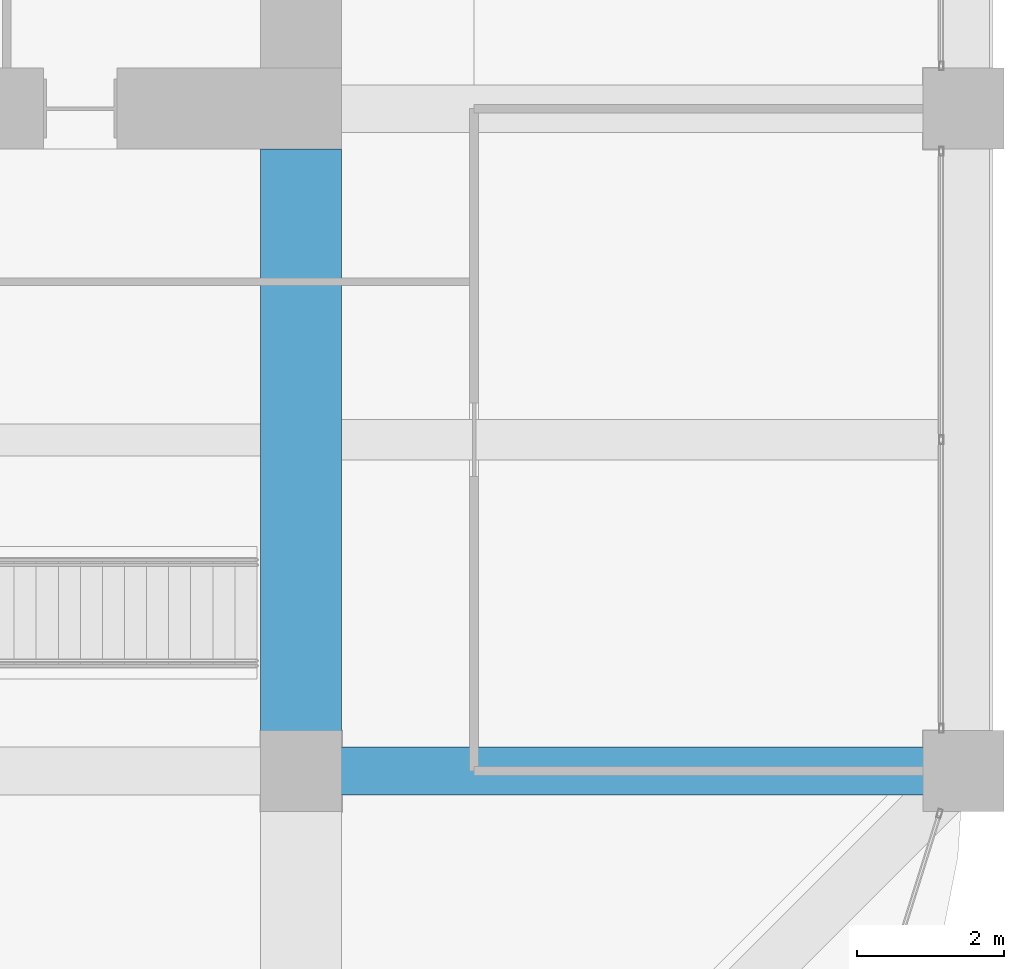
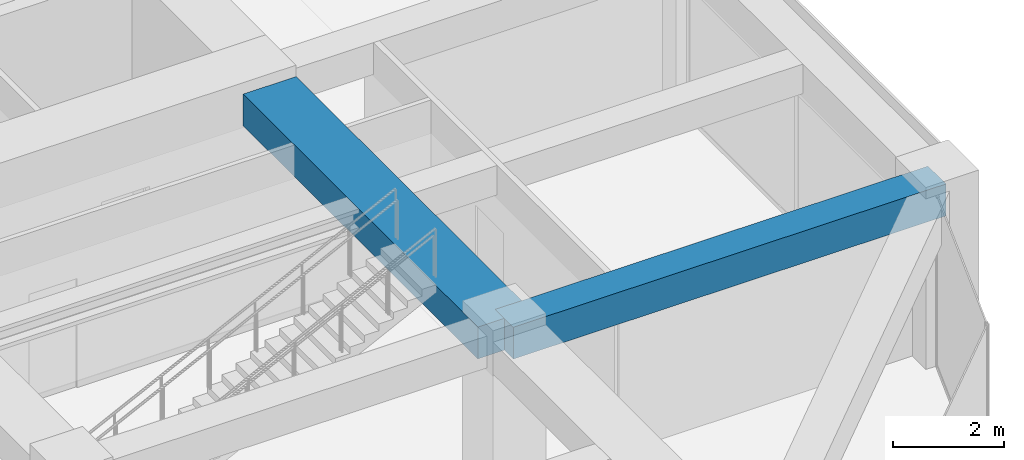
# One storey, part 21 of 44: 2 beams.
"""IFC4 building model written with IfcOpenShell, lengths in metres."""

from ifc_helpers import new_model, si_unit, direction, frame, origin, origin_2d, place, context, subcontext, project, spatial, rectangle, extrude, material, material_profile, profile_set, type_object, element, save


model = new_model("IFC4")

# Units and contexts
model_context = context("Model", 3, precision=1e-05, world=origin(), true_north=direction((0.0, 1.0)))
body_context = subcontext(model_context, "Body", "Model", "MODEL_VIEW")
ifc_project = project(units=[si_unit("LENGTHUNIT", "METRE"), si_unit("AREAUNIT", "SQUARE_METRE"), si_unit("VOLUMEUNIT", "CUBIC_METRE"), si_unit("PLANEANGLEUNIT", "RADIAN"), si_unit("MASSUNIT", "GRAM", prefix="KILO")], contexts=[model_context])

# Site, building, storey
site_placement = place(None, origin())
site = spatial("IfcSite", under=ifc_project, at=site_placement, CompositionType="ELEMENT")
building_placement = place(site_placement, origin())
building = spatial("IfcBuilding", under=site, at=building_placement, Name="Zorevar Civic Tower", CompositionType="ELEMENT")
storey_placement = place(building_placement, frame((0.0, 0.0, 251.39990234375)))
storey = spatial("IfcBuildingStorey", under=building, at=storey_placement, Name="L61", CompositionType="ELEMENT", Elevation=251.39990234375)

# Beams
ifc_material_1 = material(Name="Concrete C50/60", Category="concrete")
ifc_material_profile_1 = material_profile(ifc_material_1, rectangle(XDim=1.10009765625, YDim=0.699951171875, at=origin_2d()), Name="RC 1100x700")
ifc_profile_set_1 = profile_set([ifc_material_profile_1], Name="Concrete C50/60")
beam_type_1 = type_object("IfcBeamType", Name="Beam RC 1100x700", PredefinedType="BEAM", material=ifc_profile_set_1)
beam_1_placement = place(storey_placement, frame((45.0, 9.0, 3.400146484375), z_axis=(0.0, 1.0, 0.0), x_axis=(-1.0, 0.0, 0.0)))
element("IfcBeam", 1, at=beam_1_placement, inside=storey, type_object=beam_type_1, Name="Girder L62", PredefinedType="BEAM", context=body_context, shape_type="SweptSolid", body=[
    extrude(rectangle(XDim=1.10009765625, YDim=0.699951171875, at=origin_2d()), origin(), (0.0, 0.0, 1.0), 8.449951171875),
])
ifc_material_2 = material(Name="Concrete C50/60", Category="concrete")
ifc_material_profile_2 = material_profile(ifc_material_2, rectangle(XDim=0.64990234375, YDim=0.699951171875, at=origin_2d()), Name="RC 650x700")
ifc_profile_set_2 = profile_set([ifc_material_profile_2], Name="Concrete C50/60")
beam_type_2 = type_object("IfcBeamType", Name="Beam RC 650x700", PredefinedType="BEAM", material=ifc_profile_set_2)
beam_2_placement = place(storey_placement, frame((45.0, 9.0, 3.400146484375), z_axis=(1.0, 0.0, 0.0), x_axis=(0.0, 1.0, 0.0)))
element("IfcBeam", 2, at=beam_2_placement, inside=storey, type_object=beam_type_2, Name="Girder L62", PredefinedType="BEAM", context=body_context, shape_type="SweptSolid", body=[
    extrude(rectangle(XDim=0.64990234375, YDim=0.699951171875, at=origin_2d()), origin(), (0.0, 0.0, 1.0), 9.0),
])

save(model, "model.ifc")
